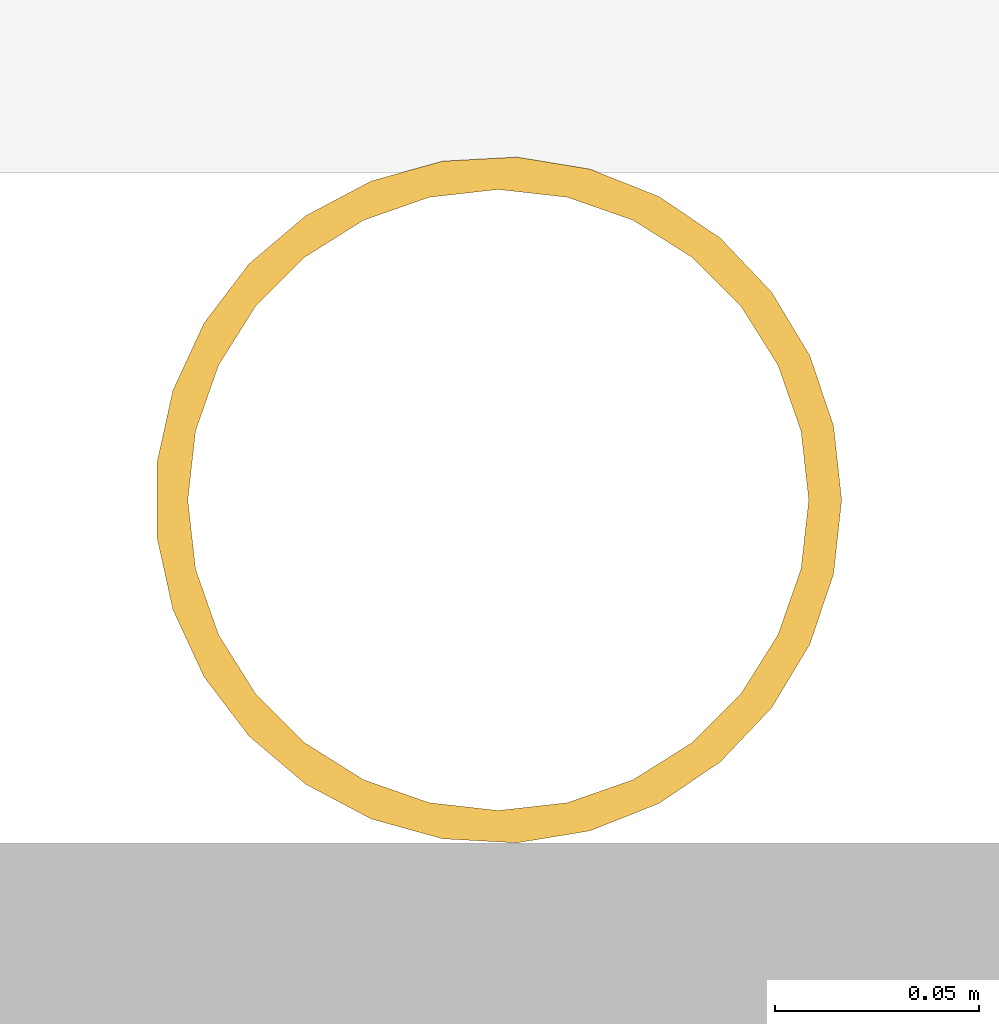
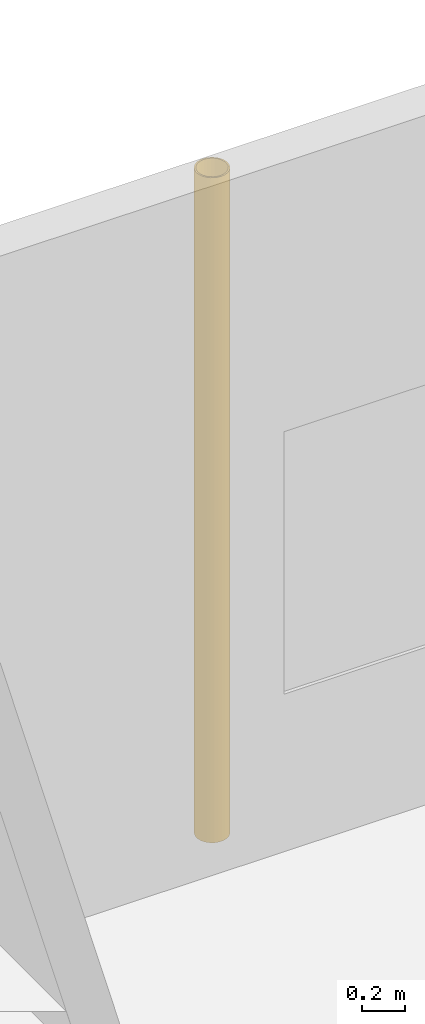
# One storey, part 52 of 82: 1 shading device.
"""IFC4 building model written with IfcOpenShell, lengths in metres."""

from ifc_helpers import new_model, si_unit, direction, frame, origin, origin_2d, place, context, subcontext, project, spatial, hollow_circle, extrude, material, material_profile, profile_set, type_object, element, save


model = new_model("IFC4")

# Units and contexts
model_context = context("Model", 3, precision=1e-05, world=origin(), true_north=direction((0.0, 1.0)))
body_context = subcontext(model_context, "Body", "Model", "MODEL_VIEW")
ifc_project = project(units=[si_unit("LENGTHUNIT", "METRE"), si_unit("AREAUNIT", "SQUARE_METRE"), si_unit("VOLUMEUNIT", "CUBIC_METRE"), si_unit("PLANEANGLEUNIT", "RADIAN"), si_unit("MASSUNIT", "GRAM", prefix="KILO")], contexts=[model_context])

# Site, building, storey
site_placement = place(None, origin())
site = spatial("IfcSite", under=ifc_project, at=site_placement, CompositionType="ELEMENT")
building_placement = place(site_placement, origin())
building = spatial("IfcBuilding", under=site, at=building_placement, Name="Almond Square Museum", CompositionType="ELEMENT")
storey_placement = place(building_placement, frame((0.0, 0.0, 20.0)))
storey = spatial("IfcBuildingStorey", under=building, at=storey_placement, Name="L03", CompositionType="ELEMENT", Elevation=20.0)

# Shading device
ifc_material = material(Name="Structural steel S355", Category="steel")
ifc_material_profile = material_profile(ifc_material, hollow_circle(Radius=0.084228515625, WallThickness=0.008056640625, at=origin_2d()))
ifc_profile_set = profile_set([ifc_material_profile], Name="Structural steel S355")
shading_device_type = type_object("IfcShadingDeviceType", Name="Louvre post CHS 168.3 x 8", PredefinedType="USERDEFINED", material=ifc_profile_set)
shading_device_placement = place(storey_placement, frame((66.8125, 16.994140625, 0.0), z_axis=(0.0, 0.0, 1.0), x_axis=(1.0, 0.0, 0.0)))
element("IfcShadingDevice", 1, at=shading_device_placement, inside=storey, type_object=shading_device_type, Name="Louvre screen post", ObjectType="POST", PredefinedType="USERDEFINED", context=body_context, shape_type="SweptSolid", body=[
    extrude(hollow_circle(Radius=0.084228515625, WallThickness=0.008056640625, at=origin_2d()), origin(), (0.0, 0.0, 1.0), 3.800048828125),
])

save(model, "model.ifc")
